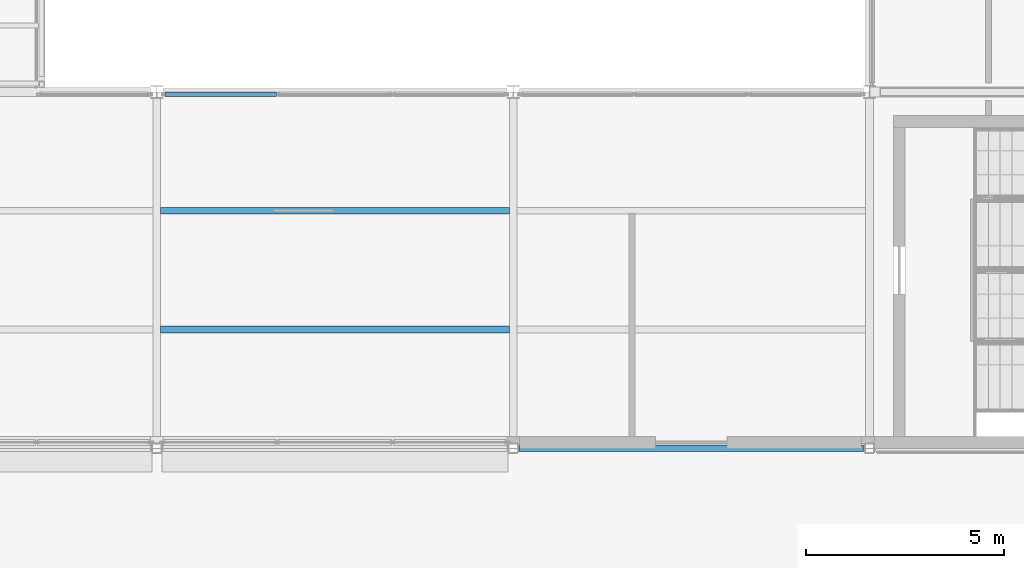
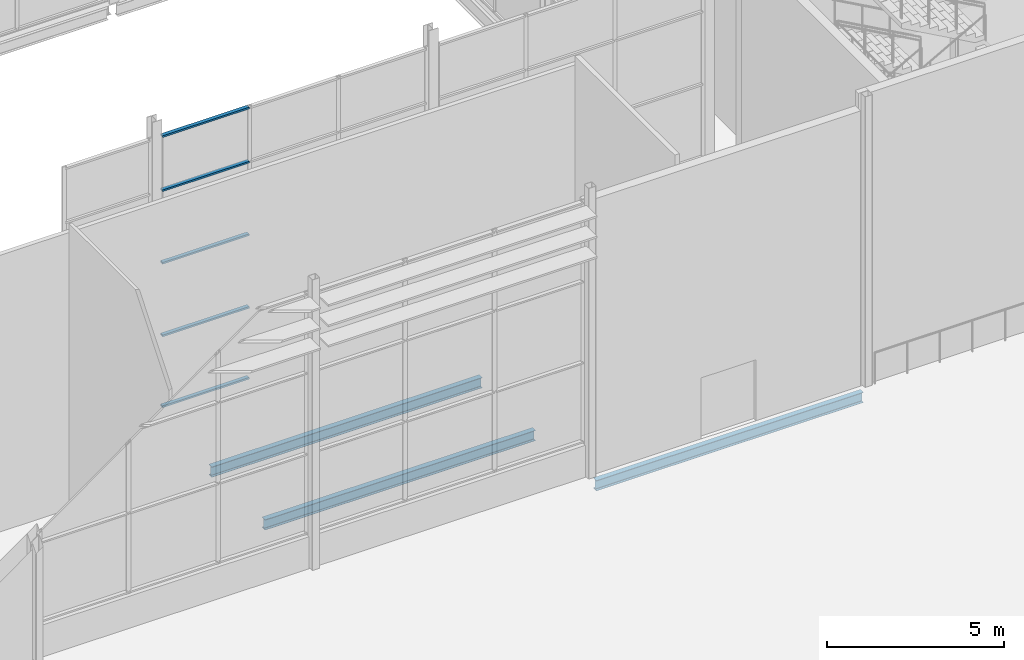
# One storey, part 25 of 111: 5 members, 3 beams, 1 element without a shape of its own.
"""IFC4 building model written with IfcOpenShell, lengths in metres."""

from ifc_helpers import new_model, si_unit, direction, frame, origin, origin_2d, place, context, subcontext, project, spatial, hollow_rectangle, i_section, extrude, material, layer, layer_set, material_profile, profile_set, type_object, element, aggregate, save


model = new_model("IFC4")

# Units and contexts
model_context = context("Model", 3, precision=1e-05, world=origin(), true_north=direction((0.0, 1.0)))
body_context = subcontext(model_context, "Body", "Model", "MODEL_VIEW")
ifc_project = project(units=[si_unit("LENGTHUNIT", "METRE"), si_unit("AREAUNIT", "SQUARE_METRE"), si_unit("VOLUMEUNIT", "CUBIC_METRE"), si_unit("PLANEANGLEUNIT", "RADIAN"), si_unit("MASSUNIT", "GRAM", prefix="KILO")], contexts=[model_context])

# Site, building, storey
site_placement = place(None, origin())
site = spatial("IfcSite", under=ifc_project, at=site_placement, CompositionType="ELEMENT")
building_placement = place(site_placement, origin())
building = spatial("IfcBuilding", under=site, at=building_placement, Name="Shorebreak Coast Museum", CompositionType="ELEMENT")
storey_placement = place(building_placement, frame((0.0, 0.0, 16.0)))
storey = spatial("IfcBuildingStorey", under=building, at=storey_placement, Name="L03", CompositionType="ELEMENT", Elevation=16.0)

# Beams
ifc_material_1 = material(Name="Steel Grade 300", Category="steel")
ifc_material_profile_1 = material_profile(ifc_material_1, i_section(OverallWidth=0.1708984375, OverallDepth=0.355712890625, WebThickness=0.00732421875, FlangeThickness=0.011474609375, FilletRadius=0.011474609375, at=origin_2d()), Name="360UB50.7")
ifc_profile_set_1 = profile_set([ifc_material_profile_1], Name="Steel Grade 300")
beam_type_1 = type_object("IfcBeamType", Name="Floor girder east-west 360UB50.7", PredefinedType="BEAM", material=ifc_profile_set_1)
beam_placement = place(storey_placement, frame((99.153564453125, 54.0, -0.352783203125), z_axis=(1.0, 0.0, 0.0), x_axis=(0.0, 1.0, 0.0)))
element("IfcBeam", 1, at=beam_placement, inside=storey, type_object=beam_type_1, Name="Floor girder east-west L03 12G", PredefinedType="BEAM", context=body_context, shape_type="SweptSolid", body=[
    extrude(i_section(OverallWidth=0.1708984375, OverallDepth=0.355712890625, WebThickness=0.00732421875, FlangeThickness=0.011474609375, FilletRadius=0.011474609375, at=origin_2d()), origin(), (0.0, 0.0, 1.0), 8.69287109375),
])
ifc_material_2 = material(Name="Steel Grade 300", Category="steel")
ifc_material_profile_2 = material_profile(ifc_material_2, i_section(OverallWidth=0.1708984375, OverallDepth=0.355712890625, WebThickness=0.00732421875, FlangeThickness=0.011474609375, FilletRadius=0.011474609375, at=origin_2d()), Name="360UB50.7")
ifc_profile_set_2 = profile_set([ifc_material_profile_2], Name="Steel Grade 300")
beam_type_2 = type_object("IfcBeamType", Name="Floor joist 360UB50.7", PredefinedType="JOIST", material=ifc_profile_set_2)
for number, where, z_axis, x_axis, name in (
    (2, (90.094970703125, 57.0, -0.352783203125), (1.0, 0.0, 0.0), (0.0, 1.0, 0.0), "Floor joist L03 bay 11G at 3000 mm"),
    (3, (90.094970703125, 60.0, -0.352783203125), (1.0, 0.0, 0.0), (0.0, 1.0, 0.0), "Floor joist L03 bay 11G at 6000 mm"),
):
    element("IfcBeam", number, at=place(storey_placement, frame(where, z_axis=z_axis, x_axis=x_axis)), inside=storey, type_object=beam_type_2, Name=name, PredefinedType="JOIST", context=body_context, shape_type="SweptSolid", body=[
        extrude(i_section(OverallWidth=0.1708984375, OverallDepth=0.355712890625, WebThickness=0.00732421875, FlangeThickness=0.011474609375, FilletRadius=0.011474609375, at=origin_2d()), origin(), (0.0, 0.0, 1.0), 8.81005859375),
    ])

# Curtain wall, members
ifc_material_3 = material(Name="Aluminium", Category="aluminium")
ifc_layer = layer(ifc_material_3, 0.1201171875)
ifc_layer_set = layer_set([ifc_layer], Name="Aluminium")
curtain_wall_type = type_object("IfcCurtainWallType", Name="Atrium fire screen", PredefinedType="NOTDEFINED", material=ifc_layer_set)
curtain_wall_placement = place(storey_placement, origin())
curtain_wall = element("IfcCurtainWall", 4, at=curtain_wall_placement, inside=storey, type_object=curtain_wall_type, Name="Atrium screen L03 S 37", PredefinedType="NOTDEFINED")
ifc_material_4 = material(Name="Aluminium", Category="aluminium")
ifc_material_profile_3 = material_profile(ifc_material_4, hollow_rectangle(XDim=0.1201171875, YDim=0.06005859375, WallThickness=0.00341796875, at=origin_2d()), Name="AL 60x120 RHS")
ifc_profile_set_3 = profile_set([ifc_material_profile_3], Name="Aluminium")
member_type = type_object("IfcMemberType", Name="Screen transom 120 x 50", PredefinedType="USERDEFINED", material=ifc_profile_set_3)
member_1_placement = place(storey_placement, frame((90.20458984375, 62.93994140625, 0.06005859375), z_axis=(1.0, 0.0, 0.0), x_axis=(0.0, 1.0, 0.0)))
member_1 = element("IfcMember", 5, at=member_1_placement, type_object=member_type, Name="CW5 transom 1.1", ObjectType="TRANSOM", PredefinedType="USERDEFINED", context=body_context, shape_type="SweptSolid", body=[
    extrude(hollow_rectangle(XDim=0.1201171875, YDim=0.06005859375, WallThickness=0.00341796875, at=origin_2d()), origin(), (0.0, 0.0, 1.0), 2.822021484375),
])
member_2_placement = place(storey_placement, frame((90.20458984375, 62.93994140625, 2.5), z_axis=(1.0, 0.0, 0.0), x_axis=(0.0, 1.0, 0.0)))
member_2 = element("IfcMember", 6, at=member_2_placement, type_object=member_type, Name="CW5 transom 1.2", ObjectType="TRANSOM", PredefinedType="USERDEFINED", context=body_context, shape_type="SweptSolid", body=[
    extrude(hollow_rectangle(XDim=0.1201171875, YDim=0.06005859375, WallThickness=0.00341796875, at=origin_2d()), origin(), (0.0, 0.0, 1.0), 2.822021484375),
])
member_3_placement = place(storey_placement, frame((90.20458984375, 62.93994140625, 5.0), z_axis=(1.0, 0.0, 0.0), x_axis=(0.0, 1.0, 0.0)))
member_3 = element("IfcMember", 7, at=member_3_placement, type_object=member_type, Name="CW5 transom 1.3", ObjectType="TRANSOM", PredefinedType="USERDEFINED", context=body_context, shape_type="SweptSolid", body=[
    extrude(hollow_rectangle(XDim=0.1201171875, YDim=0.06005859375, WallThickness=0.00341796875, at=origin_2d()), origin(), (0.0, 0.0, 1.0), 2.822021484375),
])
member_4_placement = place(storey_placement, frame((90.20458984375, 62.93994140625, 7.5), z_axis=(1.0, 0.0, 0.0), x_axis=(0.0, 1.0, 0.0)))
member_4 = element("IfcMember", 8, at=member_4_placement, type_object=member_type, Name="CW5 transom 1.4", ObjectType="TRANSOM", PredefinedType="USERDEFINED", context=body_context, shape_type="SweptSolid", body=[
    extrude(hollow_rectangle(XDim=0.1201171875, YDim=0.06005859375, WallThickness=0.00341796875, at=origin_2d()), origin(), (0.0, 0.0, 1.0), 2.822021484375),
])
member_5_placement = place(storey_placement, frame((90.20458984375, 62.93994140625, 9.3623046875), z_axis=(1.0, 0.0, 0.0), x_axis=(0.0, 1.0, 0.0)))
member_5 = element("IfcMember", 9, at=member_5_placement, type_object=member_type, Name="CW5 transom 1.5", ObjectType="TRANSOM", PredefinedType="USERDEFINED", context=body_context, shape_type="SweptSolid", body=[
    extrude(hollow_rectangle(XDim=0.1201171875, YDim=0.06005859375, WallThickness=0.00341796875, at=origin_2d()), origin(), (0.0, 0.0, 1.0), 2.822021484375),
])
aggregate(curtain_wall, [member_1, member_2, member_3, member_4, member_5])

save(model, "model.ifc")
